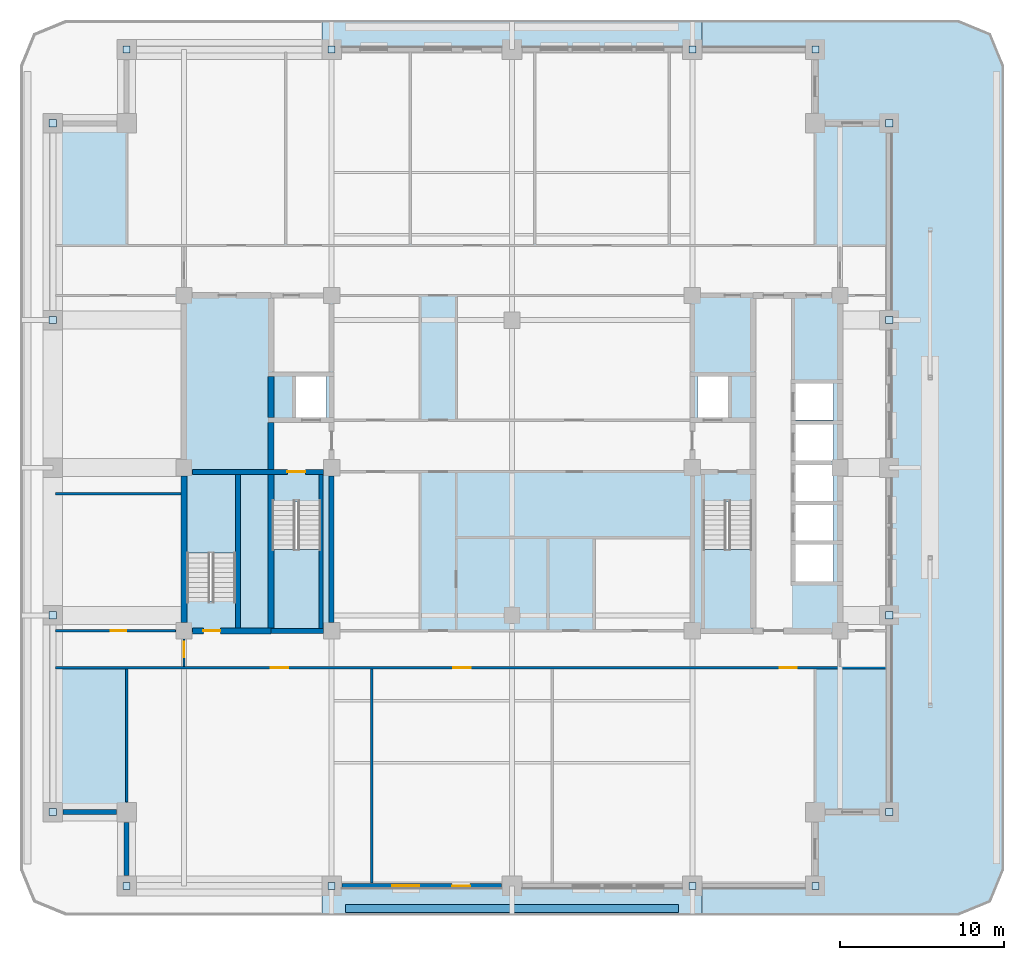
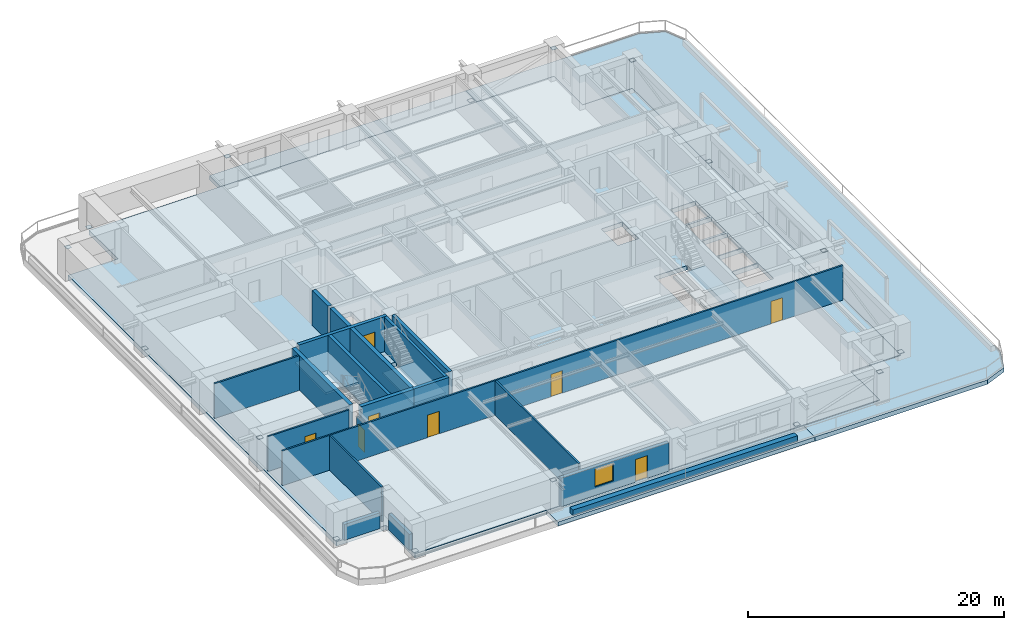
# One storey, part 5 of 17: 20 walls, 16 plates, 8 doors, 7 slabs, 1 window, 9 openings, 3 elements without a shape of their own.
"""IFC4 building model written with IfcOpenShell, lengths in metres."""

from ifc_helpers import new_model, si_unit, direction, frame, frame_2d, origin, origin_2d, place, context, subcontext, project, spatial, polyline, rectangle, outline, extrude, material, layer, layer_set, type_object, element, fill, aggregate, save


model = new_model("IFC4")

# Units and contexts
model_context = context("Model", 3, precision=1e-05, world=origin(), true_north=direction((0.0, 1.0)))
body_context = subcontext(model_context, "Body", "Model", "MODEL_VIEW")
ifc_project = project(units=[si_unit("LENGTHUNIT", "METRE"), si_unit("AREAUNIT", "SQUARE_METRE"), si_unit("VOLUMEUNIT", "CUBIC_METRE"), si_unit("PLANEANGLEUNIT", "RADIAN"), si_unit("MASSUNIT", "GRAM", prefix="KILO")], contexts=[model_context])

# Site, building, storey
site_placement = place(None, origin())
site = spatial("IfcSite", under=ifc_project, at=site_placement, CompositionType="ELEMENT")
building_placement = place(site_placement, origin())
building = spatial("IfcBuilding", under=site, at=building_placement, Name="Zulmaris Gate Convention Tower", CompositionType="ELEMENT")
storey_placement = place(building_placement, frame((0.0, 0.0, 121.349853515625)))
storey = spatial("IfcBuildingStorey", under=building, at=storey_placement, Name="L30", CompositionType="ELEMENT", Elevation=121.349853515625)

# Plates
ifc_material_1 = material(Name="Steel S460", Category="steel")
ifc_layer_1 = layer(ifc_material_1, 0.02490234375, Name="Steel S460")
ifc_layer_set_1 = layer_set([ifc_layer_1], Name="Steel S460")
plate_type = type_object("IfcPlateType", Name="NP-CAP-440", PredefinedType="USERDEFINED", material=ifc_layer_set_1)
for number, where, z_axis, x_axis, name in (
    (1, (-28.0, -21.0, 0.28759765625), (0.0, 0.0, 1.0), (1.0, 0.0, 0.0), "L30 Steel Node Plate PBR-L30-SW-W-CAP"),
    (2, (-28.0, -9.0, 2.6875), (0.0, 0.0, 1.0), (1.0, 0.0, 0.0), "L30 Steel Node Plate PBR-L30-SW-W-CAPB"),
    (3, (-28.0, 9.0, 0.28759765625), (0.0, 0.0, 1.0), (1.0, 0.0, 0.0), "L30 Steel Node Plate PBR-L30-NW-W-CAP"),
    (4, (-28.0, 21.0, 2.6875), (0.0, 0.0, 1.0), (1.0, 0.0, 0.0), "L30 Steel Node Plate PBR-L30-NW-W-CAPB"),
    (5, (23.0, -21.0, 0.28759765625), (0.0, 0.0, 1.0), (1.0, 0.0, 0.0), "L30 Steel Node Plate PBR-L30-SE-E-CAP"),
    (6, (23.0, -9.0, 2.6875), (0.0, 0.0, 1.0), (1.0, 0.0, 0.0), "L30 Steel Node Plate PBR-L30-SE-E-CAPB"),
    (7, (23.0, 9.0, 0.28759765625), (0.0, 0.0, 1.0), (1.0, 0.0, 0.0), "L30 Steel Node Plate PBR-L30-NE-E-CAP"),
    (8, (23.0, 21.0, 2.6875), (0.0, 0.0, 1.0), (1.0, 0.0, 0.0), "L30 Steel Node Plate PBR-L30-NE-E-CAPB"),
    (9, (-23.5, -25.5, 0.28759765625), (0.0, 0.0, 1.0), (1.0, 0.0, 0.0), "L30 Steel Node Plate PBR-L30-SW-S-CAP"),
    (10, (-11.0, -25.5, 2.6875), (0.0, 0.0, 1.0), (1.0, 0.0, 0.0), "L30 Steel Node Plate PBR-L30-SW-S-CAPB"),
    (11, (11.0, -25.5, 0.28759765625), (0.0, 0.0, 1.0), (1.0, 0.0, 0.0), "L30 Steel Node Plate PBR-L30-SE-S-CAP"),
    (12, (18.5, -25.5, 2.6875), (0.0, 0.0, 1.0), (1.0, 0.0, 0.0), "L30 Steel Node Plate PBR-L30-SE-S-CAPB"),
    (13, (-23.5, 25.5, 0.28759765625), (0.0, 0.0, 1.0), (1.0, 0.0, 0.0), "L30 Steel Node Plate PBR-L30-NW-N-CAP"),
    (14, (-11.0, 25.5, 2.6875), (0.0, 0.0, 1.0), (1.0, 0.0, 0.0), "L30 Steel Node Plate PBR-L30-NW-N-CAPB"),
    (15, (11.0, 25.5, 0.28759765625), (0.0, 0.0, 1.0), (1.0, 0.0, 0.0), "L30 Steel Node Plate PBR-L30-NE-N-CAP"),
    (16, (18.5, 25.5, 2.6875), (0.0, 0.0, 1.0), (1.0, 0.0, 0.0), "L30 Steel Node Plate PBR-L30-NE-N-CAPB"),
):
    element("IfcPlate", number, at=place(storey_placement, frame(where, z_axis=z_axis, x_axis=x_axis)), inside=storey, type_object=plate_type, Name=name, ObjectType="FLANGE PLATE", PredefinedType="USERDEFINED", context=body_context, shape_type="SweptSolid", body=[
        extrude(rectangle(XDim=0.43994140625, YDim=0.43994140625, at=origin_2d()), origin(), (0.0, 0.0, 1.0), 0.02490234375),
    ])

# Slab
ifc_material_2 = material(Name="Concrete C60/75", Category="concrete")
ifc_layer_2 = layer(ifc_material_2, 0.425048828125, Name="Concrete C60/75")
ifc_layer_set_2 = layer_set([ifc_layer_2], Name="Concrete C60/75")
slab_type_1 = type_object("IfcSlabType", Name="SL-FLR-425", PredefinedType="FLOOR", material=ifc_layer_set_2)
slab_1_placement = place(storey_placement, frame((0.0, 0.0, -0.425048828125)))
element("IfcSlab", 17, at=slab_1_placement, inside=storey, type_object=slab_type_1, Name="L30 Shifted Notched-Square Structural Floor Slab", PredefinedType="FLOOR", context=body_context, shape_type="SweptSolid", body=[
    extrude(outline(polyline([(-23.5, -25.5), (18.5, -25.5), (18.5, -21.0), (23.0, -21.0), (23.0, 21.0), (18.5, 21.0), (18.5, 25.5), (-23.5, 25.5), (-23.5, 21.0), (-28.0, 21.0), (-28.0, -21.0), (-23.5, -21.0), (-23.5, -25.5)]), holes=[polyline([(-14.6201171875, -2.080078125), (-14.6201171875, -9.85009765625), (-11.659912109375, -9.85009765625), (-11.659912109375, -2.080078125), (-14.6201171875, -2.080078125)]), polyline([(11.659912109375, -2.080078125), (11.659912109375, -9.85009765625), (14.6201171875, -9.85009765625), (14.6201171875, -2.080078125), (11.659912109375, -2.080078125)]), polyline([(-16.860107421875, -8.1201171875), (-16.860107421875, -0.35009765625), (-19.820068359375, -0.35009765625), (-19.820068359375, -8.1201171875), (-16.860107421875, -8.1201171875)]), polyline([(-13.199951171875, 3.0), (-11.300048828125, 3.0), (-11.300048828125, 5.60009765625), (-13.199951171875, 5.60009765625), (-13.199951171875, 3.0)]), polyline([(11.300048828125, 3.0), (13.199951171875, 3.0), (13.199951171875, 5.60009765625), (11.300048828125, 5.60009765625), (11.300048828125, 3.0)]), polyline([(17.199951171875, -7.0), (19.60009765625, -7.0), (19.60009765625, -4.60009765625), (17.199951171875, -4.60009765625), (17.199951171875, -7.0)]), polyline([(17.300048828125, -4.5), (19.60009765625, -4.5), (19.60009765625, -2.199951171875), (17.300048828125, -2.199951171875), (17.300048828125, -4.5)]), polyline([(17.300048828125, -2.10009765625), (19.60009765625, -2.10009765625), (19.60009765625, 0.199951171875), (17.300048828125, 0.199951171875), (17.300048828125, -2.10009765625)]), polyline([(17.300048828125, 0.39990234375), (19.60009765625, 0.39990234375), (19.60009765625, 2.699951171875), (17.300048828125, 2.699951171875), (17.300048828125, 0.39990234375)]), polyline([(17.300048828125, 2.89990234375), (19.60009765625, 2.89990234375), (19.60009765625, 5.199951171875), (17.300048828125, 5.199951171875), (17.300048828125, 2.89990234375)])]), origin(), (0.0, 0.0, 1.0), 0.425048828125),
])

# Stair, slab
ifc_material_3 = material(Name="Concrete C45/55", Category="concrete")
stair_type = type_object("IfcStairType", Name="ST-CORE-DOGLEG", PredefinedType="HALF_TURN_STAIR", material=ifc_material_3)
stair_1_placement = place(storey_placement, origin())
stair_1 = element("IfcStair", 18, at=stair_1_placement, inside=storey, type_object=stair_type, Name="L30 Core Exit Stair ST-1", PredefinedType="HALF_TURN_STAIR")
ifc_layer_3 = layer(ifc_material_3, 0.199951171875, Name="Concrete C45/55")
ifc_layer_set_3 = layer_set([ifc_layer_3], Name="Concrete C45/55")
slab_type_2 = type_object("IfcSlabType", Name="SL-LND-200", PredefinedType="LANDING", material=ifc_layer_set_3)
slab_2_placement = place(storey_placement, frame((0.0, 0.0, 1.5849609375)))
slab_2 = element("IfcSlab", 19, at=slab_2_placement, type_object=slab_type_2, Name="ST-1 landing 1", PredefinedType="LANDING", context=body_context, shape_type="SweptSolid", body=[
    extrude(outline(polyline([(-14.6201171875, -5.0), (-14.6201171875, -9.85009765625), (-11.659912109375, -9.85009765625), (-11.659912109375, -5.0), (-14.6201171875, -5.0)])), origin(), (0.0, 0.0, 1.0), 0.2001953125),
])
aggregate(stair_1, [slab_2])

stair_2_placement = place(storey_placement, origin())
stair_2 = element("IfcStair", 20, at=stair_2_placement, inside=storey, type_object=stair_type, Name="L30 Core Exit Stair ST-2", PredefinedType="HALF_TURN_STAIR")
slab_3_placement = place(storey_placement, frame((0.0, 0.0, 1.5849609375)))
slab_3 = element("IfcSlab", 21, at=slab_3_placement, type_object=slab_type_2, Name="ST-2 landing 1", PredefinedType="LANDING", context=body_context, shape_type="SweptSolid", body=[
    extrude(outline(polyline([(11.659912109375, -5.0), (11.659912109375, -9.85009765625), (14.6201171875, -9.85009765625), (14.6201171875, -5.0), (11.659912109375, -5.0)])), origin(), (0.0, 0.0, 1.0), 0.2001953125),
])
aggregate(stair_2, [slab_3])

stair_3_placement = place(storey_placement, origin())
stair_3 = element("IfcStair", 22, at=stair_3_placement, inside=storey, type_object=stair_type, Name="L30 Core Exit Stair ST-3", PredefinedType="HALF_TURN_STAIR")
slab_4_placement = place(storey_placement, frame((0.0, 0.0, 1.5849609375)))
slab_4 = element("IfcSlab", 23, at=slab_4_placement, type_object=slab_type_2, Name="ST-3 landing 1", PredefinedType="LANDING", context=body_context, shape_type="SweptSolid", body=[
    extrude(outline(polyline([(-16.860107421875, -5.199951171875), (-16.860107421875, -0.35009765625), (-19.820068359375, -0.35009765625), (-19.820068359375, -5.199951171875), (-16.860107421875, -5.199951171875)])), origin(), (0.0, 0.0, 1.0), 0.2001953125),
])
aggregate(stair_3, [slab_4])

# Slabs
ifc_material_4 = material(Name="Concrete C50/60", Category="concrete")
ifc_layer_4 = layer(ifc_material_4, 0.300048828125, Name="Concrete C50/60")
ifc_layer_set_4 = layer_set([ifc_layer_4], Name="Concrete C50/60")
slab_type_3 = type_object("IfcSlabType", Name="SL-SG-300", PredefinedType="FLOOR", material=ifc_layer_set_4)
slab_5_placement = place(storey_placement, frame((0.0, 0.0, -0.425048828125)))
element("IfcSlab", 24, at=slab_5_placement, inside=storey, type_object=slab_type_3, Name="L30 South Tree-Balcony Planter Slab", PredefinedType="FLOOR", context=body_context, shape_type="SweptSolid", body=[
    extrude(outline(polyline([(-11.597900390625, -27.300048828125), (-11.597900390625, -25.5), (11.597900390625, -25.5), (11.597900390625, -27.300048828125), (-11.597900390625, -27.300048828125)])), origin(), (0.0, 0.0, 1.0), 0.385009765625),
])
slab_6_placement = place(storey_placement, frame((0.0, 0.0, -0.425048828125)))
element("IfcSlab", 25, at=slab_6_placement, inside=storey, type_object=slab_type_3, Name="L30 North Tree-Balcony Planter Slab", PredefinedType="FLOOR", context=body_context, shape_type="SweptSolid", body=[
    extrude(outline(polyline([(11.597900390625, 27.300048828125), (11.597900390625, 25.5), (-11.597900390625, 25.5), (-11.597900390625, 27.300048828125), (11.597900390625, 27.300048828125)])), origin(), (0.0, 0.0, 1.0), 0.385009765625),
])
ifc_layer_5 = layer(ifc_material_4, 0.419921875, Name="Concrete C50/60")
ifc_layer_set_5 = layer_set([ifc_layer_5], Name="Concrete C50/60")
slab_type_4 = type_object("IfcSlabType", Name="SL-SG-420", PredefinedType="FLOOR", material=ifc_layer_set_5)
slab_7_placement = place(storey_placement, frame((0.0, 0.0, -0.4599609375)))
element("IfcSlab", 26, at=slab_7_placement, inside=storey, type_object=slab_type_4, Name="L30 East Block-End Planted Roof Terrace Slab", PredefinedType="FLOOR", context=body_context, shape_type="SweptSolid", body=[
    extrude(outline(polyline([(27.199951171875, 27.300048828125), (29.179931640625, 26.47998046875), (30.0, 24.5), (30.0, -24.5), (29.179931640625, -26.47998046875), (27.199951171875, -27.300048828125), (11.60205078125, -27.300048828125), (11.60205078125, -25.5), (18.5, -25.5), (18.5, -21.0), (23.0, -21.0), (23.0, 21.0), (18.5, 21.0), (18.5, 25.5), (11.60205078125, 25.5), (11.60205078125, 27.300048828125), (27.199951171875, 27.300048828125)])), origin(), (0.0, 0.0, 1.0), 0.419921875),
])

# Walls
ifc_layer_6 = layer(ifc_material_4, 0.25, Name="Concrete C50/60")
ifc_layer_set_6 = layer_set([ifc_layer_6], Name="Concrete C50/60")
wall_type_1 = type_object("IfcWallType", Name="CORE-250", PredefinedType="SOLIDWALL", material=ifc_layer_set_6)
wall_1_placement = place(storey_placement, frame((-11.64990234375, -9.798095703125, 0.0), z_axis=(0.0, 0.0, 1.0), x_axis=(0.0, 1.0, 0.0)))
element("IfcWall", 27, at=wall_1_placement, inside=storey, type_object=wall_type_1, Name="WL-L30-041", PredefinedType="SOLIDWALL", context=body_context, shape_type="SweptSolid", body=[
    extrude(rectangle(XDim=9.39599609375, YDim=0.25, at=frame_2d((4.697998046875, 0.0))), origin(), (0.0, 0.0, 1.0), 3.320068359375),
])
ifc_layer_7 = layer(ifc_material_4, 0.300048828125, Name="Concrete C50/60")
ifc_layer_set_7 = layer_set([ifc_layer_7], Name="Concrete C50/60")
wall_type_2 = type_object("IfcWallType", Name="CORE-300", PredefinedType="SHEAR", material=ifc_layer_set_7)
wall_2_placement = place(storey_placement, frame((-14.699951171875, -9.949951171875, 0.0), z_axis=(0.0, 0.0, 1.0), x_axis=(1.0, 0.0, 0.0)))
element("IfcWall", 28, at=wall_2_placement, inside=storey, type_object=wall_type_2, Name="WL-L30-002", PredefinedType="SHEAR", context=body_context, shape_type="SweptSolid", body=[
    extrude(rectangle(XDim=3.196044921875, YDim=0.300048828125, at=frame_2d((1.59814453125, 0.0))), origin(), (0.0, 0.0, 1.0), 3.320068359375),
])

# Wall, opening, door
wall_3_placement = place(storey_placement, frame((-19.49609375, -0.25, 0.0), z_axis=(0.0, 0.0, 1.0), x_axis=(1.0, 0.0, 0.0)))
wall_3 = element("IfcWall", 29, at=wall_3_placement, inside=storey, type_object=wall_type_2, Name="WL-L30-008", PredefinedType="SHEAR", context=body_context, shape_type="SweptSolid", body=[
    extrude(rectangle(XDim=7.9921875, YDim=0.300048828125, at=frame_2d((3.99609375, 0.0))), origin(), (0.0, 0.0, 1.0), 3.320068359375),
])
opening_1_placement = place(wall_3_placement, frame((5.7958984375, 0.0, 0.0)))
opening_1 = element("IfcOpeningElement", 30, at=opening_1_placement, cuts=wall_3, Name="Opening D-08", PredefinedType="OPENING", context=body_context, shape_type="SweptSolid", body=[
    extrude(rectangle(XDim=1.10009765625, YDim=2.14990234375, at=frame_2d((0.550048828125, 1.074951171875))), frame((0.0, 0.16015625, 0.0), z_axis=(0.0, -1.0, 0.0), x_axis=(1.0, 0.0, 0.0)), (0.0, 0.0, 1.0), 0.320068359375),
])
ifc_material_5 = material(Name="Fire-Rated Steel", Category="steel")
door_type_1 = type_object("IfcDoorType", Name="DR-1100-FD", OperationType="NOTDEFINED", PredefinedType="DOOR", material=ifc_material_5)
door_1_placement = place(opening_1_placement, origin())
door_1 = element("IfcDoor", 31, at=door_1_placement, inside=storey, type_object=door_type_1, Name="L30 Exit Stair ST-1 Door 01", OperationType="SINGLE_SWING_LEFT", OverallHeight=2.14990234375, OverallWidth=1.10009765625, PredefinedType="DOOR", context=body_context, shape_type="SweptSolid", body=[
    extrude(rectangle(XDim=1.10009765625, YDim=2.14990234375, at=frame_2d((0.550048828125, 1.074951171875))), frame((0.0, 0.02490234375, 0.0), z_axis=(0.0, -1.0, 0.0), x_axis=(1.0, 0.0, 0.0)), (0.0, 0.0, 1.0), 0.050048828125),
])
fill(opening_1, door_1)

# Walls
wall_4_placement = place(storey_placement, frame((-16.699951171875, -9.77294921875, 0.0), z_axis=(0.0, 0.0, 1.0), x_axis=(0.0, 1.0, 0.0)))
element("IfcWall", 32, at=wall_4_placement, inside=storey, type_object=wall_type_2, Name="WL-L30-035", PredefinedType="SHEAR", context=body_context, shape_type="SweptSolid", body=[
    extrude(rectangle(XDim=9.370849609375, YDim=0.300048828125, at=frame_2d((4.685546875, 0.0))), origin(), (0.0, 0.0, 1.0), 3.320068359375),
])
wall_5_placement = place(storey_placement, frame((-11.0, -9.446044921875, 0.0), z_axis=(0.0, 0.0, 1.0), x_axis=(0.0, 1.0, 0.0)))
element("IfcWall", 33, at=wall_5_placement, inside=storey, type_object=wall_type_2, Name="WL-L30-042", PredefinedType="SHEAR", context=body_context, shape_type="SweptSolid", body=[
    extrude(rectangle(XDim=8.942138671875, YDim=0.300048828125, at=frame_2d((4.47119140625, 0.0))), origin(), (0.0, 0.0, 1.0), 3.320068359375),
])

# Wall, opening, door
ifc_material_6 = material(Name="Concrete C55/67", Category="concrete")
ifc_layer_8 = layer(ifc_material_6, 0.35009765625, Name="Concrete C55/67")
ifc_layer_set_8 = layer_set([ifc_layer_8], Name="Concrete C55/67")
wall_type_3 = type_object("IfcWallType", Name="CORE-350", PredefinedType="SHEAR", material=ifc_layer_set_8)
wall_6_placement = place(storey_placement, frame((-19.49609375, -9.949951171875, 0.0), z_axis=(0.0, 0.0, 1.0), x_axis=(1.0, 0.0, 0.0)))
wall_6 = element("IfcWall", 34, at=wall_6_placement, inside=storey, type_object=wall_type_3, Name="WL-L30-001", PredefinedType="SHEAR", context=body_context, shape_type="SweptSolid", body=[
    extrude(rectangle(XDim=4.796142578125, YDim=0.35009765625, at=frame_2d((2.39794921875, 0.0))), origin(), (0.0, 0.0, 1.0), 3.320068359375),
])
opening_2_placement = place(wall_6_placement, frame((0.6708984375, 0.0, 0.0)))
opening_2 = element("IfcOpeningElement", 35, at=opening_2_placement, cuts=wall_6, Name="Opening D-09", PredefinedType="OPENING", context=body_context, shape_type="SweptSolid", body=[
    extrude(rectangle(XDim=1.050048828125, YDim=2.14990234375, at=frame_2d((0.52490234375, 1.074951171875))), frame((0.0, 0.18505859375, 0.0), z_axis=(0.0, -1.0, 0.0), x_axis=(1.0, 0.0, 0.0)), (0.0, 0.0, 1.0), 0.3701171875),
])
door_type_2 = type_object("IfcDoorType", Name="DR-1050-FD", OperationType="NOTDEFINED", PredefinedType="DOOR", material=ifc_material_5)
door_2_placement = place(opening_2_placement, origin())
door_2 = element("IfcDoor", 36, at=door_2_placement, inside=storey, type_object=door_type_2, Name="L30 Exit Stair ST-3 Door 09", OperationType="SINGLE_SWING_LEFT", OverallHeight=2.14990234375, OverallWidth=1.050048828125, PredefinedType="DOOR", context=body_context, shape_type="SweptSolid", body=[
    extrude(rectangle(XDim=1.050048828125, YDim=2.14990234375, at=frame_2d((0.52490234375, 1.074951171875))), frame((0.0, 0.02490234375, 0.0), z_axis=(0.0, -1.0, 0.0), x_axis=(1.0, 0.0, 0.0)), (0.0, 0.0, 1.0), 0.050048828125),
])
fill(opening_2, door_2)

# Walls
wall_7_placement = place(storey_placement, frame((-20.0, -9.446044921875, 0.0), z_axis=(0.0, 0.0, 1.0), x_axis=(0.0, 1.0, 0.0)))
element("IfcWall", 37, at=wall_7_placement, inside=storey, type_object=wall_type_3, Name="WL-L30-033", PredefinedType="SHEAR", context=body_context, shape_type="SweptSolid", body=[
    extrude(rectangle(XDim=8.942138671875, YDim=0.35009765625, at=frame_2d((4.47119140625, 0.0))), origin(), (0.0, 0.0, 1.0), 3.320068359375),
])
wall_8_placement = place(storey_placement, frame((-14.699951171875, -9.77294921875, 0.0), z_axis=(0.0, 0.0, 1.0), x_axis=(0.0, 1.0, 0.0)))
element("IfcWall", 38, at=wall_8_placement, inside=storey, type_object=wall_type_3, Name="WL-L30-036", PredefinedType="SHEAR", context=body_context, shape_type="SweptSolid", body=[
    extrude(rectangle(XDim=9.370849609375, YDim=0.35009765625, at=frame_2d((4.685546875, 0.0))), origin(), (0.0, 0.0, 1.0), 3.320068359375),
])
wall_9_placement = place(storey_placement, frame((-14.699951171875, -0.097900390625, 0.0), z_axis=(0.0, 0.0, 1.0), x_axis=(0.0, 1.0, 0.0)))
element("IfcWall", 39, at=wall_9_placement, inside=storey, type_object=wall_type_3, Name="WL-L30-037", PredefinedType="SHEAR", context=body_context, shape_type="SweptSolid", body=[
    extrude(rectangle(XDim=2.845947265625, YDim=0.35009765625, at=frame_2d((1.4228515625, 0.0))), origin(), (0.0, 0.0, 1.0), 3.320068359375),
])
wall_10_placement = place(storey_placement, frame((-14.699951171875, 3.052001953125, 0.0), z_axis=(0.0, 0.0, 1.0), x_axis=(0.0, 1.0, 0.0)))
element("IfcWall", 40, at=wall_10_placement, inside=storey, type_object=wall_type_3, Name="WL-L30-038", PredefinedType="SHEAR", context=body_context, shape_type="SweptSolid", body=[
    extrude(rectangle(XDim=2.49609375, YDim=0.35009765625, at=frame_2d((1.248046875, 0.0))), origin(), (0.0, 0.0, 1.0), 3.320068359375),
])

# Wall, openings, doors
ifc_material_7 = material(Name="Gypsum Metal Stud Partition")
ifc_layer_9 = layer(ifc_material_7, 0.14990234375, Name="Gypsum Metal Stud Partition")
ifc_layer_set_9 = layer_set([ifc_layer_9], Name="Gypsum Metal Stud Partition")
wall_type_4 = type_object("IfcWallType", Name="PART-150", PredefinedType="PARTITIONING", material=ifc_layer_set_9)
wall_11_placement = place(storey_placement, frame((-27.8349609375, -12.199951171875, 0.0), z_axis=(0.0, 0.0, 1.0), x_axis=(1.0, 0.0, 0.0)))
wall_11 = element("IfcWall", 41, at=wall_11_placement, inside=storey, type_object=wall_type_4, Name="WL-L30-021", PredefinedType="PARTITIONING", context=body_context, shape_type="SweptSolid", body=[
    extrude(rectangle(XDim=50.669921875, YDim=0.14990234375, at=frame_2d((25.3349609375, 0.0))), origin(), (0.0, 0.0, 1.0), 3.320068359375),
])
opening_3_placement = place(wall_11_placement, frame((13.1298828125, 0.0, 0.0)))
opening_3 = element("IfcOpeningElement", 42, at=opening_3_placement, cuts=wall_11, Name="Opening D-09", PredefinedType="OPENING", context=body_context, shape_type="SweptSolid", body=[
    extrude(rectangle(XDim=1.050048828125, YDim=2.14990234375, at=frame_2d((0.52490234375, 1.074951171875))), frame((0.0, 0.0849609375, 0.0), z_axis=(0.0, -1.0, 0.0), x_axis=(1.0, 0.0, 0.0)), (0.0, 0.0, 1.0), 0.169921875),
])
opening_4_placement = place(wall_11_placement, frame((24.260009765625, 0.0, 0.0)))
opening_4 = element("IfcOpeningElement", 43, at=opening_4_placement, cuts=wall_11, Name="Opening D-09", PredefinedType="OPENING", context=body_context, shape_type="SweptSolid", body=[
    extrude(rectangle(XDim=1.050048828125, YDim=2.14990234375, at=frame_2d((0.52490234375, 1.074951171875))), frame((0.0, 0.0849609375, 0.0), z_axis=(0.0, -1.0, 0.0), x_axis=(1.0, 0.0, 0.0)), (0.0, 0.0, 1.0), 0.169921875),
])
opening_5_placement = place(wall_11_placement, frame((44.159912109375, 0.0, 0.0)))
opening_5 = element("IfcOpeningElement", 44, at=opening_5_placement, cuts=wall_11, Name="Opening D-09", PredefinedType="OPENING", context=body_context, shape_type="SweptSolid", body=[
    extrude(rectangle(XDim=1.050048828125, YDim=2.14990234375, at=frame_2d((0.52490234375, 1.074951171875))), frame((0.0, 0.0849609375, 0.0), z_axis=(0.0, -1.0, 0.0), x_axis=(1.0, 0.0, 0.0)), (0.0, 0.0, 1.0), 0.169921875),
])
door_3_placement = place(opening_3_placement, origin())
door_3 = element("IfcDoor", 45, at=door_3_placement, inside=storey, type_object=door_type_2, Name="L30 Executive Boardroom Door 27", OperationType="SINGLE_SWING_LEFT", OverallHeight=2.14990234375, OverallWidth=1.050048828125, PredefinedType="DOOR", context=body_context, shape_type="SweptSolid", body=[
    extrude(rectangle(XDim=1.050048828125, YDim=2.14990234375, at=frame_2d((0.52490234375, 1.074951171875))), frame((0.0, 0.02490234375, 0.0), z_axis=(0.0, -1.0, 0.0), x_axis=(1.0, 0.0, 0.0)), (0.0, 0.0, 1.0), 0.050048828125),
])
fill(opening_3, door_3)
door_4_placement = place(opening_4_placement, origin())
door_4 = element("IfcDoor", 46, at=door_4_placement, inside=storey, type_object=door_type_2, Name="L30 Corporate Strategy Office Door 28", OperationType="SINGLE_SWING_RIGHT", OverallHeight=2.14990234375, OverallWidth=1.050048828125, PredefinedType="DOOR", context=body_context, shape_type="SweptSolid", body=[
    extrude(rectangle(XDim=1.050048828125, YDim=2.14990234375, at=frame_2d((0.52490234375, 1.074951171875))), frame((0.0, 0.02490234375, 0.0), z_axis=(0.0, -1.0, 0.0), x_axis=(1.0, 0.0, 0.0)), (0.0, 0.0, 1.0), 0.050048828125),
])
fill(opening_4, door_4)
door_5_placement = place(opening_5_placement, origin())
door_5 = element("IfcDoor", 47, at=door_5_placement, inside=storey, type_object=door_type_2, Name="L30 Project Advisory Studio Door 29", OperationType="SINGLE_SWING_LEFT", OverallHeight=2.14990234375, OverallWidth=1.050048828125, PredefinedType="DOOR", context=body_context, shape_type="SweptSolid", body=[
    extrude(rectangle(XDim=1.050048828125, YDim=2.14990234375, at=frame_2d((0.52490234375, 1.074951171875))), frame((0.0, 0.02490234375, 0.0), z_axis=(0.0, -1.0, 0.0), x_axis=(1.0, 0.0, 0.0)), (0.0, 0.0, 1.0), 0.050048828125),
])
fill(opening_5, door_5)

# Wall, opening, door
wall_12_placement = place(storey_placement, frame((-27.8349609375, -9.949951171875, 0.0), z_axis=(0.0, 0.0, 1.0), x_axis=(1.0, 0.0, 0.0)))
wall_12 = element("IfcWall", 48, at=wall_12_placement, inside=storey, type_object=wall_type_4, Name="WL-L30-022", PredefinedType="PARTITIONING", context=body_context, shape_type="SweptSolid", body=[
    extrude(rectangle(XDim=7.328857421875, YDim=0.14990234375, at=frame_2d((3.66455078125, 0.0))), origin(), (0.0, 0.0, 1.0), 3.320068359375),
])
opening_6_placement = place(wall_12_placement, frame((3.360107421875, 0.0, 0.0)))
opening_6 = element("IfcOpeningElement", 49, at=opening_6_placement, cuts=wall_12, Name="Opening D-11", PredefinedType="OPENING", context=body_context, shape_type="SweptSolid", body=[
    extrude(rectangle(XDim=0.949951171875, YDim=2.14990234375, at=frame_2d((0.47509765625, 1.074951171875))), frame((0.0, 0.0849609375, 0.0), z_axis=(0.0, -1.0, 0.0), x_axis=(1.0, 0.0, 0.0)), (0.0, 0.0, 1.0), 0.169921875),
])
ifc_material_8 = material(Name="Fire-Rated Timber", Category="wood")
door_type_3 = type_object("IfcDoorType", Name="DR-950-FD", OperationType="NOTDEFINED", PredefinedType="DOOR", material=ifc_material_8)
door_6_placement = place(opening_6_placement, origin())
door_6 = element("IfcDoor", 50, at=door_6_placement, inside=storey, type_object=door_type_3, Name="L30 SW Partner Door 40", OperationType="SINGLE_SWING_RIGHT", OverallHeight=2.14990234375, OverallWidth=0.949951171875, PredefinedType="DOOR", context=body_context, shape_type="SweptSolid", body=[
    extrude(rectangle(XDim=0.949951171875, YDim=2.14990234375, at=frame_2d((0.47509765625, 1.074951171875))), frame((0.0, 0.02490234375, 0.0), z_axis=(0.0, -1.0, 0.0), x_axis=(1.0, 0.0, 0.0)), (0.0, 0.0, 1.0), 0.050048828125),
])
fill(opening_6, door_6)

# Walls
wall_13_placement = place(storey_placement, frame((-27.8349609375, -1.60009765625, 0.0), z_axis=(0.0, 0.0, 1.0), x_axis=(1.0, 0.0, 0.0)))
element("IfcWall", 51, at=wall_13_placement, inside=storey, type_object=wall_type_4, Name="WL-L30-026", PredefinedType="PARTITIONING", context=body_context, shape_type="SweptSolid", body=[
    extrude(rectangle(XDim=7.656982421875, YDim=0.14990234375, at=frame_2d((3.82861328125, 0.0))), origin(), (0.0, 0.0, 1.0), 3.320068359375),
])
wall_14_placement = place(storey_placement, frame((-23.5, -20.39404296875, 0.0), z_axis=(0.0, 0.0, 1.0), x_axis=(0.0, 1.0, 0.0)))
element("IfcWall", 52, at=wall_14_placement, inside=storey, type_object=wall_type_4, Name="WL-L30-068", PredefinedType="PARTITIONING", context=body_context, shape_type="SweptSolid", body=[
    extrude(rectangle(XDim=8.115966796875, YDim=0.14990234375, at=frame_2d((4.05810546875, 0.0))), origin(), (0.0, 0.0, 1.0), 3.320068359375),
])

# Wall, opening, door
wall_15_placement = place(storey_placement, frame((-20.0, -12.1220703125, 0.0), z_axis=(0.0, 0.0, 1.0), x_axis=(0.0, 1.0, 0.0)))
wall_15 = element("IfcWall", 53, at=wall_15_placement, inside=storey, type_object=wall_type_4, Name="WL-L30-070", PredefinedType="PARTITIONING", context=body_context, shape_type="SweptSolid", body=[
    extrude(rectangle(XDim=1.666015625, YDim=0.14990234375, at=frame_2d((0.8330078125, 0.0))), origin(), (0.0, 0.0, 1.0), 2.81005859375),
])
opening_7_placement = place(wall_15_placement, frame((0.56591796875, 0.0, 0.0)))
opening_7 = element("IfcOpeningElement", 54, at=opening_7_placement, cuts=wall_15, Name="Opening D-11", PredefinedType="OPENING", context=body_context, shape_type="SweptSolid", body=[
    extrude(rectangle(XDim=0.949951171875, YDim=2.14990234375, at=frame_2d((0.47509765625, 1.074951171875))), frame((0.0, 0.0849609375, 0.0), z_axis=(0.0, -1.0, 0.0), x_axis=(1.0, 0.0, 0.0)), (0.0, 0.0, 1.0), 0.169921875),
])
door_7_placement = place(opening_7_placement, origin())
door_7 = element("IfcDoor", 55, at=door_7_placement, inside=storey, type_object=door_type_3, Name="L30 SW Spur Door 38", OperationType="SINGLE_SWING_RIGHT", OverallHeight=2.14990234375, OverallWidth=0.949951171875, PredefinedType="DOOR", context=body_context, shape_type="SweptSolid", body=[
    extrude(rectangle(XDim=0.949951171875, YDim=2.14990234375, at=frame_2d((0.47509765625, 1.074951171875))), frame((0.0, 0.02490234375, 0.0), z_axis=(0.0, -1.0, 0.0), x_axis=(1.0, 0.0, 0.0)), (0.0, 0.0, 1.0), 0.050048828125),
])
fill(opening_7, door_7)

# Walls
wall_16_placement = place(storey_placement, frame((-8.550048828125, -25.3349609375, 0.0), z_axis=(0.0, 0.0, 1.0), x_axis=(0.0, 1.0, 0.0)))
element("IfcWall", 56, at=wall_16_placement, inside=storey, type_object=wall_type_4, Name="WL-L30-073", PredefinedType="PARTITIONING", context=body_context, shape_type="SweptSolid", body=[
    extrude(rectangle(XDim=13.056884765625, YDim=0.14990234375, at=frame_2d((6.5283203125, 0.0))), origin(), (0.0, 0.0, 1.0), 3.320068359375),
])
ifc_material_9 = material(Name="Botanical Green Glazed Precast Concrete C40/50", Category="concrete")
ifc_layer_10 = layer(ifc_material_9, 0.419921875, Name="Botanical Green Glazed Precast Concrete C40/50")
ifc_layer_set_10 = layer_set([ifc_layer_10], Name="Botanical Green Glazed Precast Concrete C40/50")
wall_type_5 = type_object("IfcWallType", Name="PLANTER-CURB-200", PredefinedType="PARAPET", material=ifc_layer_set_10)
wall_17_placement = place(storey_placement, frame((-10.14990234375, -26.8798828125, -0.0400390625), z_axis=(0.0, 0.0, 1.0), x_axis=(1.0, 0.0, 0.0)))
element("IfcWall", 57, at=wall_17_placement, inside=storey, type_object=wall_type_5, Name="L30 Full-Length Balcony Tree Planter Trough", PredefinedType="PARAPET", context=body_context, shape_type="SweptSolid", body=[
    extrude(rectangle(XDim=20.2998046875, YDim=0.47998046875, at=frame_2d((10.14990234375, 0.0))), origin(), (0.0, 0.0, 1.0), 0.52001953125),
])
ifc_material_10 = material(Name="Precast concrete C40/50", Category="concrete")
ifc_layer_11 = layer(ifc_material_10, 0.300048828125, Name="Precast concrete C40/50")
ifc_layer_set_11 = layer_set([ifc_layer_11], Name="Precast concrete C40/50")
wall_type_6 = type_object("IfcWallType", Name="PRECAST-PIER-300", PredefinedType="STANDARD", material=ifc_layer_set_11)
for number, where, z_axis, x_axis, name in (
    (58, (-27.3701171875, -21.0, 0.0), (0.0, 0.0, 1.0), (1.0, 0.0, 0.0), "EW-L30-NOTCH-SW1_0"),
    (59, (-23.5, -21.6298828125, 0.0), (0.0, 0.0, 1.0), (0.0, -1.0, 0.0), "EW-L30-NOTCH-SW2_0"),
):
    element("IfcWall", number, at=place(storey_placement, frame(where, z_axis=z_axis, x_axis=x_axis)), inside=storey, type_object=wall_type_6, Name=name, PredefinedType="STANDARD", context=body_context, shape_type="SweptSolid", body=[
        extrude(rectangle(XDim=3.240234375, YDim=0.300048828125, at=frame_2d((1.6201171875, 0.0))), origin(), (0.0, 0.0, 1.0), 1.511962890625),
    ])

# Wall, openings, door, window
wall_18_placement = place(storey_placement, frame((-10.3701171875, -25.5, 0.0), z_axis=(0.0, 0.0, 1.0), x_axis=(1.0, 0.0, 0.0)))
wall_18 = element("IfcWall", 60, at=wall_18_placement, inside=storey, type_object=wall_type_6, Name="EW-L30-S-1_0", PredefinedType="STANDARD", context=body_context, shape_type="SweptSolid", body=[
    extrude(rectangle(XDim=9.740234375, YDim=0.300048828125, at=frame_2d((4.8701171875, 0.0))), origin(), (0.0, 0.0, 1.0), 2.712158203125),
])
opening_8_placement = place(wall_18_placement, frame((6.722900390625, 0.0, 0.0)))
opening_8 = element("IfcOpeningElement", 61, at=opening_8_placement, cuts=wall_18, Name="Opening D-04", PredefinedType="OPENING", context=body_context, shape_type="SweptSolid", body=[
    extrude(rectangle(XDim=1.10009765625, YDim=2.14990234375, at=frame_2d((0.550048828125, 1.074951171875))), frame((0.0, 0.16015625, 0.0), z_axis=(0.0, -1.0, 0.0), x_axis=(1.0, 0.0, 0.0)), (0.0, 0.0, 1.0), 0.320068359375),
])
opening_9_placement = place(wall_18_placement, frame((3.071044921875, 0.0, 0.800048828125)))
opening_9 = element("IfcOpeningElement", 62, at=opening_9_placement, cuts=wall_18, Name="Opening W-08", PredefinedType="OPENING", context=body_context, shape_type="SweptSolid", body=[
    extrude(rectangle(XDim=1.64990234375, YDim=1.699951171875, at=frame_2d((0.824951171875, 0.85009765625))), frame((0.0, 0.16015625, 0.0), z_axis=(0.0, -1.0, 0.0), x_axis=(1.0, 0.0, 0.0)), (0.0, 0.0, 1.0), 0.320068359375),
])
ifc_material_11 = material(Name="Anodised Aluminium and Laminated Glass", Category="aluminium")
door_type_4 = type_object("IfcDoorType", Name="ED-1100", OperationType="SINGLE_SWING_RIGHT", PredefinedType="DOOR", material=ifc_material_11)
door_8_placement = place(opening_8_placement, origin())
door_8 = element("IfcDoor", 63, at=door_8_placement, inside=storey, type_object=door_type_4, Name="L30 S Planted Terrace Door", OperationType="SINGLE_SWING_RIGHT", OverallHeight=2.14990234375, OverallWidth=1.10009765625, PredefinedType="DOOR", context=body_context, shape_type="SweptSolid", body=[
    extrude(rectangle(XDim=1.10009765625, YDim=2.14990234375, at=frame_2d((0.550048828125, 1.074951171875))), frame((0.0, 0.02490234375, 0.0), z_axis=(0.0, -1.0, 0.0), x_axis=(1.0, 0.0, 0.0)), (0.0, 0.0, 1.0), 0.050048828125),
])
fill(opening_8, door_8)
ifc_material_12 = material(Name="Low-E Laminated Double Glazing in Aluminium Frame", Category="aluminium")
window_type = type_object("IfcWindowType", Name="WIN-1650x2150", PartitioningType="SINGLE_PANEL", PredefinedType="WINDOW", material=ifc_material_12)
window_placement = place(opening_9_placement, origin())
window = element("IfcWindow", 64, at=window_placement, inside=storey, type_object=window_type, Name="WN-EW-L30-S-1_0-2", OverallHeight=1.699951171875, OverallWidth=1.64990234375, PartitioningType="SINGLE_PANEL", PredefinedType="WINDOW", context=body_context, shape_type="SweptSolid", body=[
    extrude(rectangle(XDim=1.64990234375, YDim=1.699951171875, at=frame_2d((0.824951171875, 0.85009765625))), frame((0.0, 0.030029296875, 0.0), z_axis=(0.0, -1.0, 0.0), x_axis=(1.0, 0.0, 0.0)), (0.0, 0.0, 1.0), 0.06005859375),
])
fill(opening_9, window)

save(model, "model.ifc")
